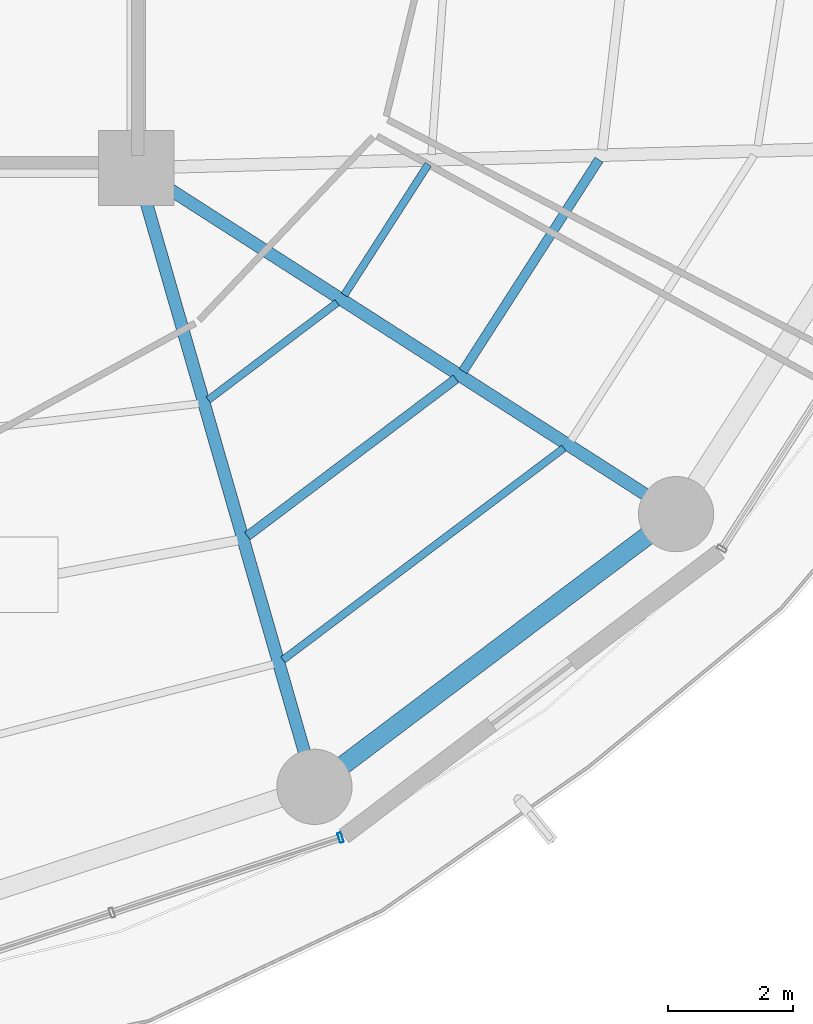
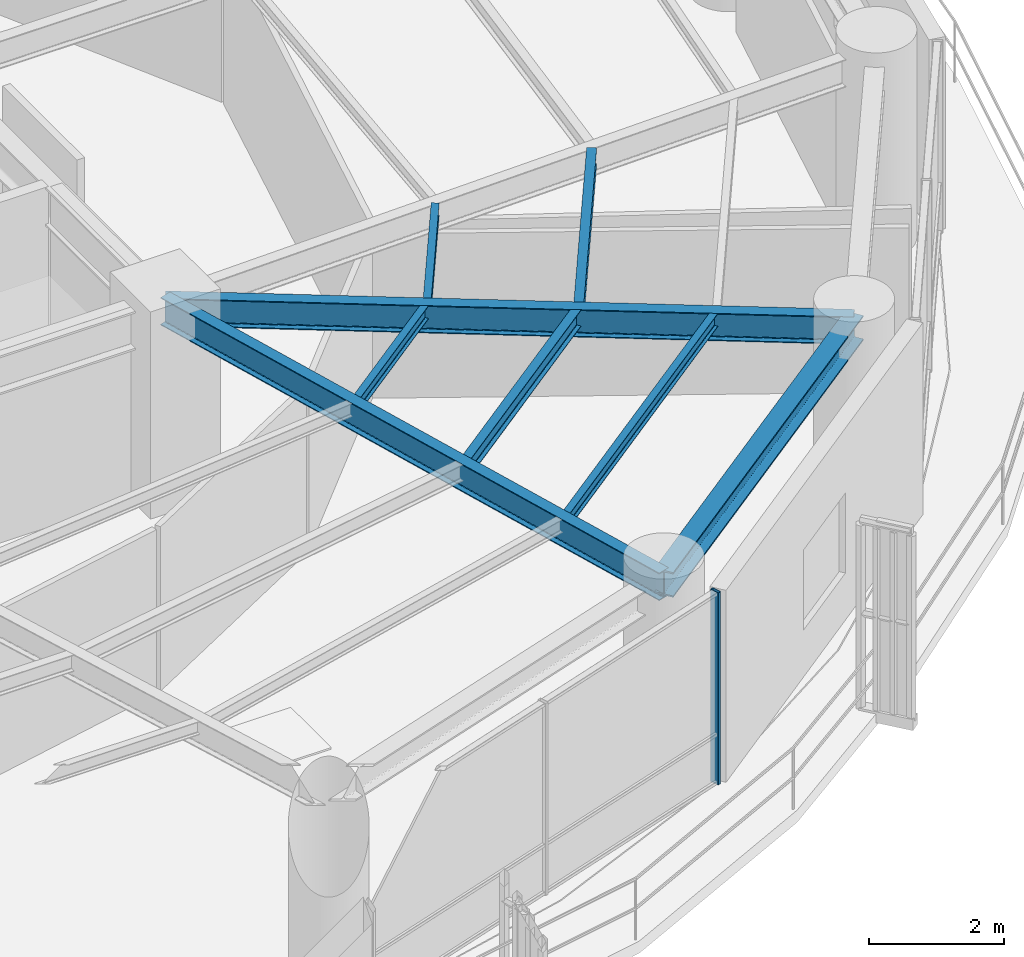
# One storey, part 10 of 29: 8 beams, 1 member, 1 element without a shape of its own.
"""IFC4 building model written with IfcOpenShell, lengths in metres."""

import ifcopenshell
import ifcopenshell.guid

model = None  # the IFC model being written
_history = None  # IfcOwnerHistory: only IFC2X3 demands one
_inside = {}  # id of a spatial element -> (the spatial element, [elements in it])
_under = {}  # id of a project, library or spatial element -> (it, [spatial elements below it])
_declared = {}  # id of a project -> (the project, [libraries it declares])
_typed = {}  # id of a type object -> (the type object, [elements of that type])
_made_of = {}  # id of a material, layer set ... -> (it, [elements and type objects made of it])


def new_model(schema):
    """Start an empty IFC model of exactly this schema.

    Asked for "IFC4X3", IfcOpenShell would pick the latest addendum, in which some entities
    have other attributes; the version numbers below select the first issue.
    IFC2X3 requires an IfcOwnerHistory on every rooted entity: one is made here for all.
    """
    global model, _history
    if schema == "IFC4X3":
        model = ifcopenshell.file(schema_version=(4, 3, 0, 0))
    else:
        model = ifcopenshell.file(schema=schema)
    _inside.clear()
    _under.clear()
    _declared.clear()
    _typed.clear()
    _made_of.clear()
    _history = None
    if model.schema == "IFC2X3":
        org = make("IfcOrganization", Name="unknown")
        user = make(
            "IfcPersonAndOrganization",
            ThePerson=make("IfcPerson", FamilyName="unknown"),
            TheOrganization=org,
        )
        app = make(
            "IfcApplication",
            ApplicationDeveloper=org,
            Version="unknown",
            ApplicationFullName="unknown",
            ApplicationIdentifier="unknown",
        )
        _history = make(
            "IfcOwnerHistory",
            OwningUser=user,
            OwningApplication=app,
            ChangeAction="ADDED",
            CreationDate=0,
        )
    return model


def make(cls, **values):
    """One entity of the class cls with the attributes given. An attribute that is None is left unset."""
    return model.create_entity(
        cls, **{name: value for name, value in values.items() if value is not None}
    )


def rooted(cls, **values):
    """An entity with a GlobalId (a new one), such as an element, a storey or a relation."""
    return make(cls, GlobalId=ifcopenshell.guid.new(), OwnerHistory=_history, **values)


def si_unit(unit_type, name, prefix=None):
    """IfcSIUnit, for example si_unit("LENGTHUNIT", "METRE", prefix="MILLI")."""
    return make("IfcSIUnit", UnitType=unit_type, Prefix=prefix, Name=name)


def assignment(units):
    """IfcUnitAssignment: the units of a project."""
    return None if units is None else make("IfcUnitAssignment", Units=units)


def point(xyz):
    """IfcCartesianPoint."""
    return None if xyz is None else make("IfcCartesianPoint", Coordinates=xyz)


def direction(xyz):
    """IfcDirection."""
    return None if xyz is None else make("IfcDirection", DirectionRatios=xyz)


def frame(location, z_axis=None, x_axis=None):
    """IfcAxis2Placement3D, a coordinate frame: its origin and axes. An axis left out is left unset."""
    return make(
        "IfcAxis2Placement3D",
        Location=point(location),
        Axis=direction(z_axis),
        RefDirection=direction(x_axis),
    )


def frame_2d(location, x_axis=None):
    """IfcAxis2Placement2D, a coordinate frame in the plane: its origin and x axis."""
    return make(
        "IfcAxis2Placement2D", Location=point(location), RefDirection=direction(x_axis)
    )


def origin():
    """The frame at (0, 0, 0) with its axes left unset."""
    return frame((0.0, 0.0, 0.0))


def origin_2d():
    """The frame at (0, 0) in the plane with its x axis left unset."""
    return frame_2d((0.0, 0.0))


def place(relative_to, where):
    """IfcLocalPlacement: puts the frame where relative to a parent placement (None: the world)."""
    return make(
        "IfcLocalPlacement", PlacementRelTo=relative_to, RelativePlacement=where
    )


def context(
    kind, dimensions, precision=None, world=None, true_north=None, identifier=None
):
    """IfcGeometricRepresentationContext, for example the 3D "Model" context."""
    return make(
        "IfcGeometricRepresentationContext",
        ContextIdentifier=identifier,
        ContextType=kind,
        CoordinateSpaceDimension=dimensions,
        Precision=precision,
        WorldCoordinateSystem=world,
        TrueNorth=true_north,
    )


def subcontext(parent, identifier, kind, view, scale=None):
    """IfcGeometricRepresentationSubContext, for example "Body" below "Model"."""
    return make(
        "IfcGeometricRepresentationSubContext",
        ContextIdentifier=identifier,
        ContextType=kind,
        ParentContext=parent,
        TargetScale=scale,
        TargetView=view,
    )


def project(units=None, contexts=None):
    """IfcProject with its units and contexts."""
    return rooted(
        "IfcProject",
        Name="project",
        RepresentationContexts=contexts,
        UnitsInContext=assignment(units),
    )


def spatial(cls, under=None, at=None, **own):
    """A site, building, storey or space (cls), placed at a placement, below another one or the project."""
    s = rooted(cls, ObjectPlacement=at, **own)
    if under is not None:
        _under.setdefault(under.id(), (under, []))[1].append(s)
    return s


def profile(cls, at=None, kind="AREA", **sizes):
    """A parametric profile (cls). Its sizes go by their IFC names, for example OverallWidth=200.0."""
    return make(cls, ProfileType=kind, Position=at, **sizes)


def hollow_rectangle(**sizes):
    """IfcRectangleHollowProfileDef."""
    return profile("IfcRectangleHollowProfileDef", **sizes)


def i_section(**sizes):
    """IfcIShapeProfileDef."""
    return profile("IfcIShapeProfileDef", **sizes)


def extrude(swept, where, along, depth):
    """IfcExtrudedAreaSolid: the profile swept, set in the frame where, extruded along a direction by depth."""
    return make(
        "IfcExtrudedAreaSolid",
        SweptArea=swept,
        Position=where,
        ExtrudedDirection=direction(along),
        Depth=depth,
    )


def shape(context_of_items, identifier, shape_type, items):
    """IfcShapeRepresentation: the items that make up one representation, for example the "Body"."""
    return make(
        "IfcShapeRepresentation",
        ContextOfItems=context_of_items,
        RepresentationIdentifier=identifier,
        RepresentationType=shape_type,
        Items=items,
    )


def material(Name=None, Category=None):
    """IfcMaterial."""
    return make("IfcMaterial", Name=Name, Category=Category)


def layer(
    of_material, thickness, ventilated=None, Name=None, Category=None, Priority=None
):
    """IfcMaterialLayer: one layer of a wall or slab, of a material (None: an air gap)."""
    return make(
        "IfcMaterialLayer",
        Material=of_material,
        LayerThickness=thickness,
        IsVentilated=ventilated,
        Name=Name,
        Category=Category,
        Priority=Priority,
    )


def layer_set(layers, Name=None):
    """IfcMaterialLayerSet."""
    return make("IfcMaterialLayerSet", MaterialLayers=layers, LayerSetName=Name)


def material_profile(
    of_material, cross_section, Name=None, Category=None, Priority=None
):
    """IfcMaterialProfile: a cross section and its material."""
    return make(
        "IfcMaterialProfile",
        Name=Name,
        Material=of_material,
        Profile=cross_section,
        Priority=Priority,
        Category=Category,
    )


def profile_set(profiles, Name=None, composite=None):
    """IfcMaterialProfileSet."""
    return make(
        "IfcMaterialProfileSet",
        Name=Name,
        MaterialProfiles=profiles,
        CompositeProfile=composite,
    )


def made_of(thing, what):
    """Note that an element or type object is made of a material, layer set ...; save() writes the relation."""
    if what is not None:
        _made_of.setdefault(what.id(), (what, []))[1].append(thing)
    return thing


def type_object(cls, material=None, **own):
    """A type object (cls), such as IfcWallType, which elements share."""
    return made_of(rooted(cls, **own), material)


def element(
    cls,
    number,
    at=None,
    inside=None,
    cuts=None,
    type_object=None,
    material=None,
    context=None,
    identifier="Body",
    shape_type=None,
    held_by="IfcProductDefinitionShape",
    body=None,
    shapes=None,
    **own,
):
    """One element of the class cls, such as IfcWall. Its Tag is "e" and its number.

    at: its placement. inside: the storey or other place that contains it. cuts: it is an
    opening in that element (IfcRelVoidsElement). A single representation is given by context,
    identifier, shape_type and body (its items); several are given by shapes. held_by: the class
    of the entity that holds the representations. save() writes the other relations.
    """
    e = rooted(cls, Tag="e%d" % number, ObjectPlacement=at, **own)
    if body is not None:
        shapes = [shape(context, identifier, shape_type, body)]
    if shapes is not None:
        e.Representation = make(held_by, Representations=shapes)
    if inside is not None:
        _inside.setdefault(inside.id(), (inside, []))[1].append(e)
    if cuts is not None:
        rooted(
            "IfcRelVoidsElement", RelatingBuildingElement=cuts, RelatedOpeningElement=e
        )
    if type_object is not None:
        _typed.setdefault(type_object.id(), (type_object, []))[1].append(e)
    return made_of(e, material)


def aggregate(whole, parts):
    """IfcRelAggregates: a whole, such as a stair, and the parts it consists of."""
    return rooted("IfcRelAggregates", RelatingObject=whole, RelatedObjects=parts)


def save(model, path):
    """Write the relations noted so far, then the file.

    IfcRelAggregates (storeys below a building ...), IfcRelContainedInSpatialStructure (elements
    in a storey), IfcRelDefinesByType, IfcRelAssociatesMaterial and IfcRelDeclares: one each for
    every whole, place, type object, material and project.
    """
    for whole, parts in _under.values():
        aggregate(whole, parts)
    for where, things in _inside.values():
        rooted(
            "IfcRelContainedInSpatialStructure",
            RelatedElements=things,
            RelatingStructure=where,
        )
    for kind, things in _typed.values():
        rooted("IfcRelDefinesByType", RelatedObjects=things, RelatingType=kind)
    for what, things in _made_of.values():
        rooted("IfcRelAssociatesMaterial", RelatedObjects=things, RelatingMaterial=what)
    for by, libraries in _declared.values():
        rooted("IfcRelDeclares", RelatingContext=by, RelatedDefinitions=libraries)
    model.write(path)


model = new_model("IFC4")

# Units and contexts
model_context = context("Model", 3, precision=1e-05, world=origin(), true_north=direction((0.0, 1.0)))
body_context = subcontext(model_context, "Body", "Model", "MODEL_VIEW")
ifc_project = project(units=[si_unit("LENGTHUNIT", "METRE"), si_unit("AREAUNIT", "SQUARE_METRE"), si_unit("VOLUMEUNIT", "CUBIC_METRE"), si_unit("PLANEANGLEUNIT", "RADIAN"), si_unit("MASSUNIT", "GRAM", prefix="KILO")], contexts=[model_context])

# Site, building, storey
site_placement = place(None, origin())
site = spatial("IfcSite", under=ifc_project, at=site_placement, CompositionType="ELEMENT")
building_placement = place(site_placement, origin())
building = spatial("IfcBuilding", under=site, at=building_placement, Name="Kelanora Arch Commons", CompositionType="ELEMENT")
storey_placement = place(building_placement, frame((0.0, 0.0, 135.60009765625)))
storey = spatial("IfcBuildingStorey", under=building, at=storey_placement, Name="L34", CompositionType="ELEMENT", Elevation=135.60009765625)

# Beams
ifc_material_1 = material(Name="Steel S355", Category="steel")
ifc_material_profile_1 = material_profile(ifc_material_1, i_section(OverallWidth=0.14990234375, OverallDepth=0.300048828125, WebThickness=0.007080078125, FlangeThickness=0.0107421875, FilletRadius=0.014892578125, at=origin_2d()), Name="IPE300")
ifc_profile_set_1 = profile_set([ifc_material_profile_1], Name="Steel S355")
beam_type_1 = type_object("IfcBeamType", Name="BM-JST-01", PredefinedType="JOIST", material=ifc_profile_set_1)
beam_1_placement = place(storey_placement, frame((83.77197265625, 45.129150390625, 3.33984375), z_axis=(0.798463547891, 0.602043156833, 0.0), x_axis=(-0.602043156833, 0.798463547891, 0.0)))
element("IfcBeam", 1, at=beam_1_placement, inside=storey, type_object=beam_type_1, Name="Secondary Chord Joist BJB-30 L34", PredefinedType="JOIST", context=body_context, shape_type="SweptSolid", body=[
    extrude(i_section(OverallWidth=0.14990234375, OverallDepth=0.300048828125, WebThickness=0.007080078125, FlangeThickness=0.0107421875, FilletRadius=0.014892578125, at=origin_2d()), origin(), (0.0, 0.0, 1.0), 4.163818359375),
])
beam_2_placement = place(storey_placement, frame((87.210693359375, 47.758544921875, 3.33984375), z_axis=(0.540594434398, 0.841283339606, 0.0), x_axis=(-0.841283339606, 0.540594434398, 0.0)))
element("IfcBeam", 2, at=beam_2_placement, inside=storey, type_object=beam_type_1, Name="Secondary Chord Joist BJB-32 L34", PredefinedType="JOIST", context=body_context, shape_type="SweptSolid", body=[
    extrude(i_section(OverallWidth=0.14990234375, OverallDepth=0.300048828125, WebThickness=0.007080078125, FlangeThickness=0.0107421875, FilletRadius=0.014892578125, at=origin_2d()), origin(), (0.0, 0.0, 1.0), 4.008544921875),
])
ifc_material_profile_2 = material_profile(ifc_material_1, i_section(OverallWidth=0.1201171875, OverallDepth=0.239990234375, WebThickness=0.006103515625, FlangeThickness=0.009765625, FilletRadius=0.014892578125, at=origin_2d()), Name="IPE240")
ifc_profile_set_2 = profile_set([ifc_material_profile_2], Name="Steel S355")
beam_type_2 = type_object("IfcBeamType", Name="BM-JST-02", PredefinedType="JOIST", material=ifc_profile_set_2)
beam_3_placement = place(storey_placement, frame((83.147216796875, 47.300537109375, 3.369873046875), z_axis=(0.798484118859, 0.602015873487, 0.0), x_axis=(-0.602015873487, 0.798484118859, 0.0)))
element("IfcBeam", 3, at=beam_3_placement, inside=storey, type_object=beam_type_2, Name="Secondary Chord Joist BJA-30 L34", PredefinedType="JOIST", context=body_context, shape_type="SweptSolid", body=[
    extrude(i_section(OverallWidth=0.1201171875, OverallDepth=0.239990234375, WebThickness=0.006103515625, FlangeThickness=0.009765625, FilletRadius=0.014892578125, at=origin_2d()), origin(), (0.0, 0.0, 1.0), 2.57470703125),
])
beam_4_placement = place(storey_placement, frame((84.33984375, 43.155029296875, 3.369873046875), z_axis=(0.798493128577, 0.602003923256, 0.0), x_axis=(-0.602003923256, 0.798493128577, 0.0)))
element("IfcBeam", 4, at=beam_4_placement, inside=storey, type_object=beam_type_2, Name="Secondary Chord Joist BJC-30 L34", PredefinedType="JOIST", context=body_context, shape_type="SweptSolid", body=[
    extrude(i_section(OverallWidth=0.1201171875, OverallDepth=0.239990234375, WebThickness=0.006103515625, FlangeThickness=0.009765625, FilletRadius=0.014892578125, at=origin_2d()), origin(), (0.0, 0.0, 1.0), 5.608642578125),
])
beam_5_placement = place(storey_placement, frame((85.31689453125, 48.973388671875, 3.369873046875), z_axis=(0.540583174025, 0.841290575224, 0.0), x_axis=(-0.841290575224, 0.540583174025, 0.0)))
element("IfcBeam", 5, at=beam_5_placement, inside=storey, type_object=beam_type_2, Name="Secondary Chord Joist BJA-32 L34", PredefinedType="JOIST", context=body_context, shape_type="SweptSolid", body=[
    extrude(i_section(OverallWidth=0.1201171875, OverallDepth=0.239990234375, WebThickness=0.006103515625, FlangeThickness=0.009765625, FilletRadius=0.014892578125, at=origin_2d()), origin(), (0.0, 0.0, 1.0), 2.476318359375),
])
ifc_material_profile_3 = material_profile(ifc_material_1, i_section(OverallWidth=0.199951171875, OverallDepth=0.5, WebThickness=0.01025390625, FlangeThickness=0.01611328125, FilletRadius=0.02099609375, at=origin_2d()), Name="IPE500")
ifc_profile_set_3 = profile_set([ifc_material_profile_3], Name="Steel S355")
beam_type_3 = type_object("IfcBeamType", Name="BM-RAD-Z3", PredefinedType="BEAM", material=ifc_profile_set_3)
beam_6_placement = place(storey_placement, frame((82.0, 51.0, 3.239990234375), z_axis=(0.276525880065, -0.961006471182, 0.0), x_axis=(0.961006471182, 0.276525880065, 0.0)))
element("IfcBeam", 6, at=beam_6_placement, inside=storey, type_object=beam_type_3, Name="Radial Floor Girder BR-30 L34", PredefinedType="BEAM", context=body_context, shape_type="SweptSolid", body=[
    extrude(i_section(OverallWidth=0.199951171875, OverallDepth=0.5, WebThickness=0.01025390625, FlangeThickness=0.01611328125, FilletRadius=0.02099609375, at=origin_2d()), origin(), (0.0, 0.0, 1.0), 10.2705078125),
])
beam_7_placement = place(storey_placement, frame((82.0, 51.0, 3.239990234375), z_axis=(0.841719465748, -0.539915123868, 0.0), x_axis=(0.539915123868, 0.841719465748, 0.0)))
element("IfcBeam", 7, at=beam_7_placement, inside=storey, type_object=beam_type_3, Name="Radial Floor Girder BR-32 L34", PredefinedType="BEAM", context=body_context, shape_type="SweptSolid", body=[
    extrude(i_section(OverallWidth=0.199951171875, OverallDepth=0.5, WebThickness=0.01025390625, FlangeThickness=0.01611328125, FilletRadius=0.02099609375, at=origin_2d()), origin(), (0.0, 0.0, 1.0), 10.2265625),
])
ifc_material_profile_4 = material_profile(ifc_material_1, i_section(OverallWidth=0.300048828125, OverallDepth=0.449951171875, WebThickness=0.013916015625, FlangeThickness=0.02587890625, FilletRadius=0.027099609375, at=origin_2d()), Name="HEB450")
ifc_profile_set_4 = profile_set([ifc_material_profile_4], Name="Steel S355")
beam_type_4 = type_object("IfcBeamType", Name="BM-SPN-Z3", PredefinedType="SPANDREL", material=ifc_profile_set_4)
beam_8_placement = place(storey_placement, frame((84.840087890625, 41.1298828125, 3.264892578125), z_axis=(0.798484645564, 0.60201517489, 0.0), x_axis=(-0.60201517489, 0.798484645564, 0.0)))
element("IfcBeam", 8, at=beam_8_placement, inside=storey, type_object=beam_type_4, Name="Perimeter Spandrel Beam BS-30 L34", PredefinedType="SPANDREL", context=body_context, shape_type="SweptSolid", body=[
    extrude(i_section(OverallWidth=0.300048828125, OverallDepth=0.449951171875, WebThickness=0.013916015625, FlangeThickness=0.02587890625, FilletRadius=0.027099609375, at=origin_2d()), origin(), (0.0, 0.0, 1.0), 7.223388671875),
])

# Curtain wall, member
ifc_material_2 = material(Name="Terracotta ceramic-fritted low-E glass and aluminium", Category="masonry")
ifc_layer = layer(ifc_material_2, 0.175048828125)
ifc_layer_set = layer_set([ifc_layer], Name="Terracotta ceramic-fritted low-E glass and aluminium")
curtain_wall_type = type_object("IfcCurtainWallType", Name="CW-SYS-02", PredefinedType="NOTDEFINED", material=ifc_layer_set)
curtain_wall_placement = place(storey_placement, origin())
curtain_wall = element("IfcCurtainWall", 9, at=curtain_wall_placement, inside=storey, type_object=curtain_wall_type, Name="Unitised Curtain Wall L34-B14", PredefinedType="NOTDEFINED")
ifc_material_3 = material(Name="Powder-coated aluminium terracotta", Category="masonry")
ifc_material_profile_5 = material_profile(ifc_material_3, hollow_rectangle(XDim=0.159912109375, YDim=0.06005859375, WallThickness=0.0048828125, InnerFilletRadius=0.0048828125, OuterFilletRadius=0.010009765625, at=origin_2d()), Name="CWM160x60")
ifc_profile_set_5 = profile_set([ifc_material_profile_5], Name="Powder-coated aluminium terracotta")
member_type = type_object("IfcMemberType", Name="CWM-STD", PredefinedType="MULLION", material=ifc_profile_set_5)
member_placement = place(storey_placement, frame((85.257080078125, 40.319091796875, 0.0), z_axis=(0.0, 0.0, 1.0), x_axis=(-0.312128279571, 0.95003996605, 0.0)))
member = element("IfcMember", 10, at=member_placement, type_object=member_type, Name="CW-02 mullion 3", PredefinedType="MULLION", context=body_context, shape_type="SweptSolid", body=[
    extrude(hollow_rectangle(XDim=0.159912109375, YDim=0.06005859375, WallThickness=0.0048828125, InnerFilletRadius=0.0048828125, OuterFilletRadius=0.010009765625, at=origin_2d()), origin(), (0.0, 0.0, 1.0), 3.474853515625),
])
aggregate(curtain_wall, [member])

save(model, "model.ifc")
